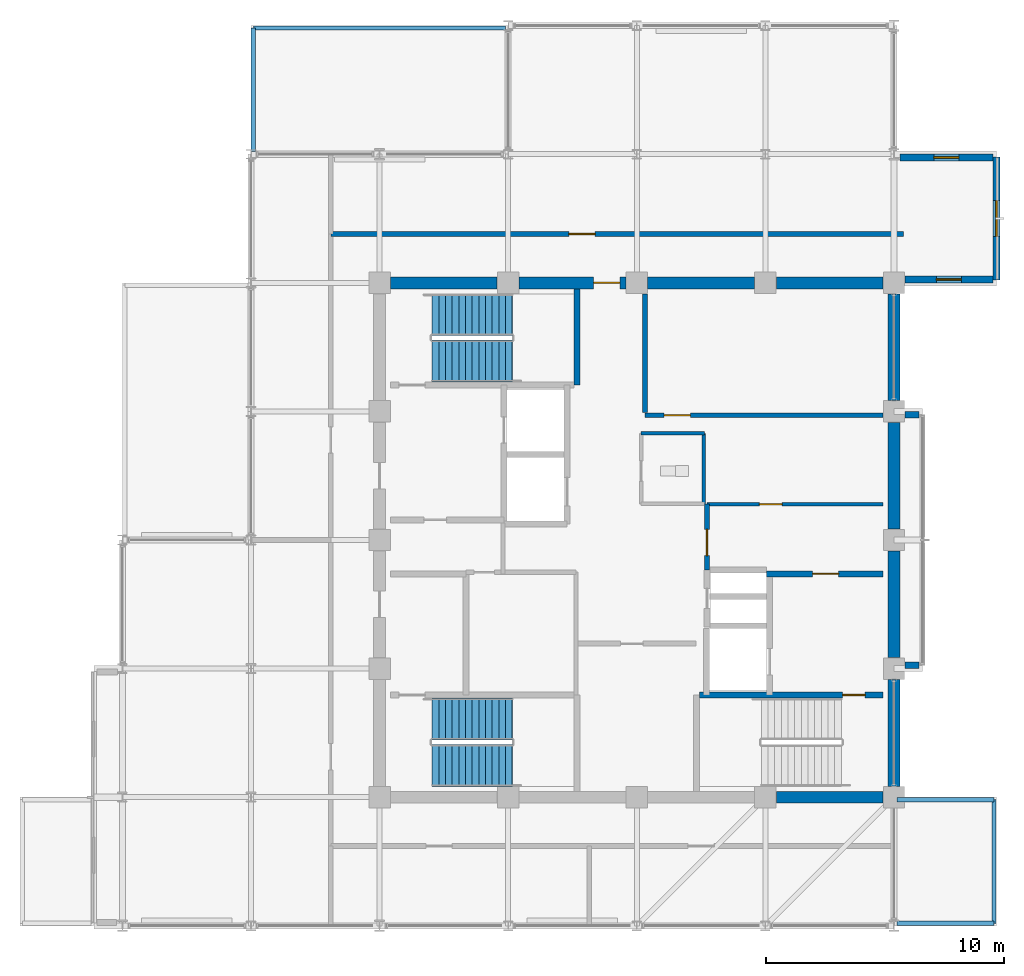
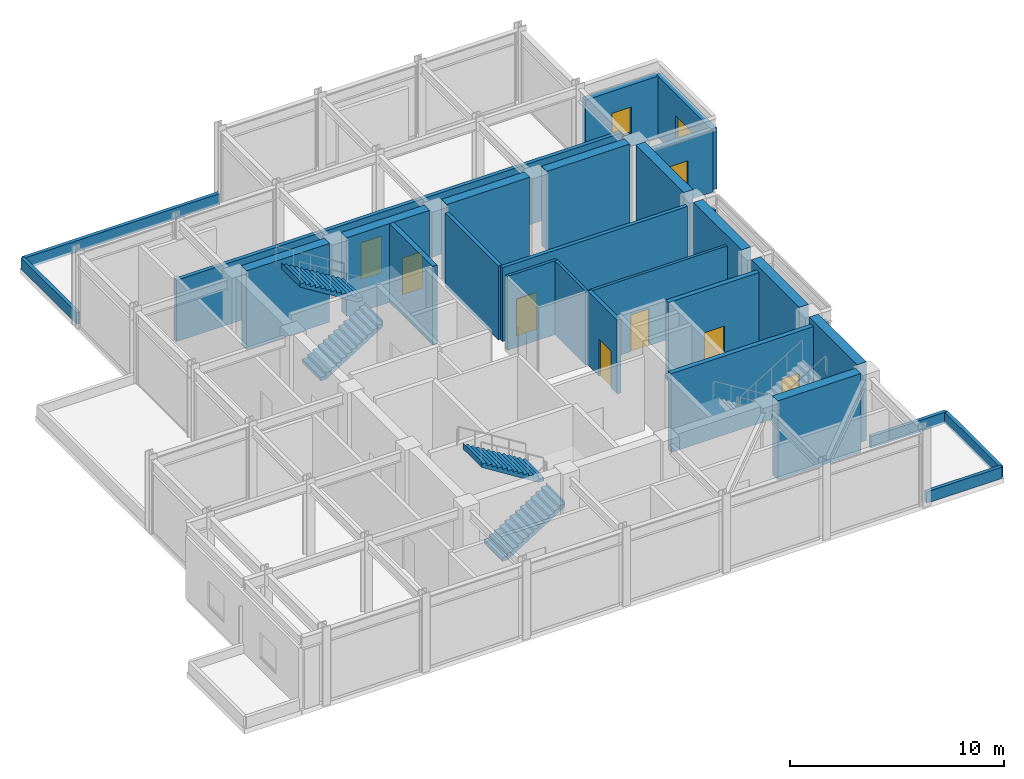
# One storey, part 16 of 21: 29 walls, 7 doors, 4 stair flights, 3 windows, 10 openings, 2 elements without a shape of their own.
"""IFC4 building model written with IfcOpenShell, lengths in metres."""

from ifc_helpers import new_model, si_unit, direction, frame, frame_2d, origin, place, context, subcontext, project, spatial, polyline, rectangle, outline, extrude, material, layer, layer_set, type_object, element, fill, aggregate, save


model = new_model("IFC4")

# Units and contexts
model_context = context("Model", 3, precision=1e-05, world=origin(), true_north=direction((0.0, 1.0)))
body_context = subcontext(model_context, "Body", "Model", "MODEL_VIEW")
ifc_project = project(units=[si_unit("LENGTHUNIT", "METRE"), si_unit("AREAUNIT", "SQUARE_METRE"), si_unit("VOLUMEUNIT", "CUBIC_METRE"), si_unit("PLANEANGLEUNIT", "RADIAN"), si_unit("MASSUNIT", "GRAM", prefix="KILO")], contexts=[model_context])

# Site, building, storey
site_placement = place(None, origin())
site = spatial("IfcSite", under=ifc_project, at=site_placement, CompositionType="ELEMENT")
building_placement = place(site_placement, origin())
building = spatial("IfcBuilding", under=site, at=building_placement, Name="Surkhivell Harbour Commons", CompositionType="ELEMENT")
storey_placement = place(building_placement, frame((0.0, 0.0, 346.5)))
storey = spatial("IfcBuildingStorey", under=building, at=storey_placement, Name="L90", CompositionType="ELEMENT", Elevation=346.5)

# Walls
ifc_material_1 = material(Name="Concrete C50/60", Category="concrete")
ifc_layer_1 = layer(ifc_material_1, 0.5)
ifc_layer_set_1 = layer_set([ifc_layer_1], Name="Concrete C50/60")
wall_type_1 = type_object("IfcWallType", Name="WAL-CORE-500", PredefinedType="SHEAR", material=ifc_layer_set_1)
for number, where, z_axis, x_axis, name in (
    (1, (-10.340087890625, 10.800048828125, 0.0), (0.0, 0.0, 1.0), (1.0, 0.0, 0.0), "L90 Core Shear Wall North 1"),
    (2, (10.800048828125, -10.340087890625, 0.0), (0.0, 0.0, 1.0), (0.0, 1.0, 0.0), "L90 Core Shear Wall East 1"),
):
    element("IfcWall", number, at=place(storey_placement, frame(where, z_axis=z_axis, x_axis=x_axis)), inside=storey, type_object=wall_type_1, Name=name, PredefinedType="SHEAR", context=body_context, shape_type="SweptSolid", body=[
        extrude(rectangle(XDim=4.47998046875, YDim=0.5, at=frame_2d((2.239990234375, 0.0))), origin(), (0.0, 0.0, 1.0), 4.5),
    ])

# Wall, opening, door
wall_1_placement = place(storey_placement, frame((-4.93994140625, 10.800048828125, 0.0), z_axis=(0.0, 0.0, 1.0), x_axis=(1.0, 0.0, 0.0)))
wall_1 = element("IfcWall", 3, at=wall_1_placement, inside=storey, type_object=wall_type_1, Name="L90 Core Shear Wall North 2", PredefinedType="SHEAR", context=body_context, shape_type="SweptSolid", body=[
    extrude(rectangle(XDim=4.47998046875, YDim=0.5, at=frame_2d((2.239990234375, 0.0))), origin(), (0.0, 0.0, 1.0), 4.5),
])
opening_1_placement = place(wall_1_placement, frame((3.1298828125, 0.0, 0.0)))
opening_1 = element("IfcOpeningElement", 4, at=opening_1_placement, cuts=wall_1, Name="Opening ID-2", PredefinedType="OPENING", context=body_context, shape_type="SweptSolid", body=[
    extrude(rectangle(XDim=1.10009765625, YDim=2.10009765625, at=frame_2d((0.550048828125, 1.050048828125))), frame((0.0, 0.260009765625, 0.0), z_axis=(0.0, -1.0, 0.0), x_axis=(1.0, 0.0, 0.0)), (0.0, 0.0, 1.0), 0.52001953125),
])
ifc_material_2 = material(Name="Hardwood-veneered fire-rated door leaf", Category="wood")
door_type_1 = type_object("IfcDoorType", Name="DOR-FD60-1100", OperationType="NOTDEFINED", PredefinedType="DOOR", material=ifc_material_2)
door_1_placement = place(opening_1_placement, origin())
door_1 = element("IfcDoor", 5, at=door_1_placement, inside=storey, type_object=door_type_1, Name="L90 Central Core Lift Hall North Corridor Door", OperationType="SINGLE_SWING_LEFT", OverallHeight=2.10009765625, OverallWidth=1.10009765625, PredefinedType="DOOR", context=body_context, shape_type="SweptSolid", body=[
    extrude(rectangle(XDim=1.10009765625, YDim=2.10009765625, at=frame_2d((0.550048828125, 1.050048828125))), frame((0.0, 0.02490234375, 0.0), z_axis=(0.0, -1.0, 0.0), x_axis=(1.0, 0.0, 0.0)), (0.0, 0.0, 1.0), 0.050048828125),
])
fill(opening_1, door_1)

# Walls
for number, where, z_axis, x_axis, name in (
    (6, (10.800048828125, -4.93994140625, 0.0), (0.0, 0.0, 1.0), (0.0, 1.0, 0.0), "L90 Core Shear Wall East 2"),
    (7, (0.4599609375, 10.800048828125, 0.0), (0.0, 0.0, 1.0), (1.0, 0.0, 0.0), "L90 Core Shear Wall North 3"),
    (8, (10.800048828125, 0.4599609375, 0.0), (0.0, 0.0, 1.0), (0.0, 1.0, 0.0), "L90 Core Shear Wall East 3"),
    (9, (5.860107421875, -10.800048828125, 0.0), (0.0, 0.0, 1.0), (1.0, 0.0, 0.0), "L90 Core Shear Wall South 4"),
    (10, (5.860107421875, 10.800048828125, 0.0), (0.0, 0.0, 1.0), (1.0, 0.0, 0.0), "L90 Core Shear Wall North 4"),
    (11, (10.800048828125, 5.860107421875, 0.0), (0.0, 0.0, 1.0), (0.0, 1.0, 0.0), "L90 Core Shear Wall East 4"),
):
    element("IfcWall", number, at=place(storey_placement, frame(where, z_axis=z_axis, x_axis=x_axis)), inside=storey, type_object=wall_type_1, Name=name, PredefinedType="SHEAR", context=body_context, shape_type="SweptSolid", body=[
        extrude(rectangle(XDim=4.47998046875, YDim=0.5, at=frame_2d((2.239990234375, 0.0))), origin(), (0.0, 0.0, 1.0), 4.5),
    ])

# Wall, opening, window
ifc_material_3 = material(Name="Flemish-bond kiln brick and precast concrete C45/55", Category="masonry")
ifc_layer_2 = layer(ifc_material_3, 0.300048828125)
ifc_layer_set_2 = layer_set([ifc_layer_2], Name="Flemish-bond kiln brick and precast concrete C45/55")
wall_type_2 = type_object("IfcWallType", Name="WAL-EXT-BRK300", PredefinedType="STANDARD", material=ifc_layer_set_2)
wall_2_placement = place(storey_placement, frame((15.10009765625, 10.919921875, 0.0), z_axis=(0.0, 0.0, 1.0), x_axis=(0.0, 1.0, 0.0)))
wall_2 = element("IfcWall", 12, at=wall_2_placement, inside=storey, type_object=wall_type_2, Name="L90 Coloured Box Front Wall 02", PredefinedType="STANDARD", context=body_context, shape_type="SweptSolid", body=[
    extrude(rectangle(XDim=5.16015625, YDim=0.300048828125, at=frame_2d((2.580078125, 0.0))), origin(), (0.0, 0.0, 1.0), 3.507080078125),
])
opening_2_placement = place(wall_2_placement, frame((1.830078125, 0.0, 0.75)))
opening_2 = element("IfcOpeningElement", 13, at=opening_2_placement, cuts=wall_2, Name="Opening WN-13", PredefinedType="OPENING", context=body_context, shape_type="SweptSolid", body=[
    extrude(rectangle(XDim=1.5, YDim=1.5, at=frame_2d((0.75, 0.75))), frame((0.0, 0.159912109375, 0.0), z_axis=(0.0, -1.0, 0.0), x_axis=(1.0, 0.0, 0.0)), (0.0, 0.0, 1.0), 0.320068359375),
])
ifc_material_4 = material(Name="Thermal-break aluminium frame and double low-E glazing", Category="aluminium")
window_type_1 = type_object("IfcWindowType", Name="WIN-BOX-1500x1500", PartitioningType="SINGLE_PANEL", PredefinedType="WINDOW", material=ifc_material_4)
window_1_placement = place(opening_2_placement, origin())
window_1 = element("IfcWindow", 14, at=window_1_placement, inside=storey, type_object=window_type_1, Name="L90 Coloured Box Square Window 02-1", OverallHeight=1.5, OverallWidth=1.5, PartitioningType="SINGLE_PANEL", PredefinedType="WINDOW", context=body_context, shape_type="SweptSolid", body=[
    extrude(rectangle(XDim=1.5, YDim=1.5, at=frame_2d((0.75, 0.75))), frame((0.0, 0.030029296875, 0.0), z_axis=(0.0, -1.0, 0.0), x_axis=(1.0, 0.0, 0.0)), (0.0, 0.0, 1.0), 0.06005859375),
])
fill(opening_2, window_1)

wall_3_placement = place(storey_placement, frame((11.25390625, 10.93994140625, 0.0), z_axis=(0.0, 0.0, 1.0), x_axis=(1.0, 0.0, 0.0)))
wall_3 = element("IfcWall", 15, at=wall_3_placement, inside=storey, type_object=wall_type_2, Name="L90 Coloured Box Return Wall 02S", PredefinedType="STANDARD", context=body_context, shape_type="SweptSolid", body=[
    extrude(rectangle(XDim=3.7060546875, YDim=0.300048828125, at=frame_2d((1.85302734375, 0.0))), origin(), (0.0, 0.0, 1.0), 3.507080078125),
])
opening_3_placement = place(wall_3_placement, frame((1.327880859375, 0.0, 0.75)))
opening_3 = element("IfcOpeningElement", 16, at=opening_3_placement, cuts=wall_3, Name="Opening WN-11", PredefinedType="OPENING", context=body_context, shape_type="SweptSolid", body=[
    extrude(rectangle(XDim=1.050048828125, YDim=1.5, at=frame_2d((0.52490234375, 0.75))), frame((0.0, 0.159912109375, 0.0), z_axis=(0.0, -1.0, 0.0), x_axis=(1.0, 0.0, 0.0)), (0.0, 0.0, 1.0), 0.320068359375),
])
window_type_2 = type_object("IfcWindowType", Name="WIN-SER-1050x1500", PartitioningType="SINGLE_PANEL", PredefinedType="WINDOW", material=ifc_material_4)
window_2_placement = place(opening_3_placement, origin())
window_2 = element("IfcWindow", 17, at=window_2_placement, inside=storey, type_object=window_type_2, Name="L90 Coloured Box Return Window 02S", OverallHeight=1.5, OverallWidth=1.050048828125, PartitioningType="SINGLE_PANEL", PredefinedType="WINDOW", context=body_context, shape_type="SweptSolid", body=[
    extrude(rectangle(XDim=1.050048828125, YDim=1.5, at=frame_2d((0.52490234375, 0.75))), frame((0.0, 0.030029296875, 0.0), z_axis=(0.0, -1.0, 0.0), x_axis=(1.0, 0.0, 0.0)), (0.0, 0.0, 1.0), 0.06005859375),
])
fill(opening_3, window_2)

wall_4_placement = place(storey_placement, frame((11.0439453125, 16.06005859375, 0.0), z_axis=(0.0, 0.0, 1.0), x_axis=(1.0, 0.0, 0.0)))
wall_4 = element("IfcWall", 18, at=wall_4_placement, inside=storey, type_object=wall_type_2, Name="L90 Coloured Box Return Wall 02N", PredefinedType="STANDARD", context=body_context, shape_type="SweptSolid", body=[
    extrude(rectangle(XDim=3.916015625, YDim=0.300048828125, at=frame_2d((1.9580078125, 0.0))), origin(), (0.0, 0.0, 1.0), 3.507080078125),
])
opening_4_placement = place(wall_4_placement, frame((1.43310546875, 0.0, 0.75)))
opening_4 = element("IfcOpeningElement", 19, at=opening_4_placement, cuts=wall_4, Name="Opening WN-11", PredefinedType="OPENING", context=body_context, shape_type="SweptSolid", body=[
    extrude(rectangle(XDim=1.050048828125, YDim=1.5, at=frame_2d((0.52490234375, 0.75))), frame((0.0, 0.159912109375, 0.0), z_axis=(0.0, -1.0, 0.0), x_axis=(1.0, 0.0, 0.0)), (0.0, 0.0, 1.0), 0.320068359375),
])
window_3_placement = place(opening_4_placement, origin())
window_3 = element("IfcWindow", 20, at=window_3_placement, inside=storey, type_object=window_type_2, Name="L90 Coloured Box Return Window 02N", OverallHeight=1.5, OverallWidth=1.050048828125, PartitioningType="SINGLE_PANEL", PredefinedType="WINDOW", context=body_context, shape_type="SweptSolid", body=[
    extrude(rectangle(XDim=1.050048828125, YDim=1.5, at=frame_2d((0.52490234375, 0.75))), frame((0.0, 0.030029296875, 0.0), z_axis=(0.0, -1.0, 0.0), x_axis=(1.0, 0.0, 0.0)), (0.0, 0.0, 1.0), 0.06005859375),
])
fill(opening_4, window_3)

# Walls
ifc_material_5 = material(Name="Terracotta-clad reinforced concrete C45/55", Category="masonry")
ifc_layer_3 = layer(ifc_material_5, 0.280029296875)
ifc_layer_set_3 = layer_set([ifc_layer_3], Name="Terracotta-clad reinforced concrete C45/55")
wall_type_3 = type_object("IfcWallType", Name="WAL-EXT-TER280", PredefinedType="STANDARD", material=ifc_layer_set_3)
for number, where, z_axis, x_axis, name in (
    (21, (11.25390625, -5.260009765625, 0.0), (0.0, 0.0, 1.0), (1.0, 0.0, 0.0), "L90 Coloured Box Return Wall 01S"),
    (22, (11.25390625, 5.260009765625, 0.0), (0.0, 0.0, 1.0), (1.0, 0.0, 0.0), "L90 Coloured Box Return Wall 01N"),
):
    element("IfcWall", number, at=place(storey_placement, frame(where, z_axis=z_axis, x_axis=x_axis)), inside=storey, type_object=wall_type_3, Name=name, PredefinedType="STANDARD", context=body_context, shape_type="SweptSolid", body=[
        extrude(rectangle(XDim=0.606201171875, YDim=0.280029296875, at=frame_2d((0.30322265625, 0.0))), origin(), (0.0, 0.0, 1.0), 3.507080078125),
    ])
ifc_material_6 = material(Name="Twin-stud acoustic fireboard partition", Category="other")
ifc_layer_4 = layer(ifc_material_6, 0.14990234375)
ifc_layer_set_4 = layer_set([ifc_layer_4], Name="Twin-stud acoustic fireboard partition")
wall_type_4 = type_object("IfcWallType", Name="WAL-INT-150", PredefinedType="PARTITIONING", material=ifc_layer_set_4)
wall_5_placement = place(storey_placement, frame((2.820068359375, 1.52001953125, 0.0), z_axis=(0.0, 0.0, 1.0), x_axis=(0.0, 1.0, 0.0)))
element("IfcWall", 23, at=wall_5_placement, inside=storey, type_object=wall_type_4, Name="L90 Core Accessible WC East Wall", PredefinedType="PARTITIONING", context=body_context, shape_type="SweptSolid", body=[
    extrude(rectangle(XDim=2.9599609375, YDim=0.14990234375, at=frame_2d((1.47998046875, 0.0))), origin(), (0.0, 0.0, 1.0), 4.219970703125),
])
wall_6_placement = place(storey_placement, frame((0.179931640625, 4.47998046875, 0.0), z_axis=(0.0, 0.0, 1.0), x_axis=(1.0, 0.0, 0.0)))
element("IfcWall", 24, at=wall_6_placement, inside=storey, type_object=wall_type_4, Name="L90 Core Accessible WC North Wall", PredefinedType="PARTITIONING", context=body_context, shape_type="SweptSolid", body=[
    extrude(rectangle(XDim=2.670166015625, YDim=0.14990234375, at=frame_2d((1.3349609375, 0.0))), origin(), (0.0, 0.0, 1.0), 4.219970703125),
])

# Wall, opening, door
wall_7_placement = place(storey_placement, frame((2.949951171875, 1.5, 0.0), z_axis=(0.0, 0.0, 1.0), x_axis=(1.0, 0.0, 0.0)))
wall_7 = element("IfcWall", 25, at=wall_7_placement, inside=storey, type_object=wall_type_4, Name="L90 Crown East Core Corridor Wall", PredefinedType="PARTITIONING", context=body_context, shape_type="SweptSolid", body=[
    extrude(rectangle(XDim=7.39013671875, YDim=0.14990234375, at=frame_2d((3.695068359375, 0.0))), origin(), (0.0, 0.0, 1.0), 4.219970703125),
])
opening_5_placement = place(wall_7_placement, frame((2.199951171875, 0.0, 0.0)))
opening_5 = element("IfcOpeningElement", 26, at=opening_5_placement, cuts=wall_7, Name="Opening ID-4", PredefinedType="OPENING", context=body_context, shape_type="SweptSolid", body=[
    extrude(rectangle(XDim=0.949951171875, YDim=2.10009765625, at=frame_2d((0.47509765625, 1.050048828125))), frame((0.0, 0.0849609375, 0.0), z_axis=(0.0, -1.0, 0.0), x_axis=(1.0, 0.0, 0.0)), (0.0, 0.0, 1.0), 0.169921875),
])
door_type_2 = type_object("IfcDoorType", Name="DOR-FD60-950", OperationType="NOTDEFINED", PredefinedType="DOOR", material=ifc_material_2)
door_2_placement = place(opening_5_placement, origin())
door_2 = element("IfcDoor", 27, at=door_2_placement, inside=storey, type_object=door_type_2, Name="L90 Crown East Room Door", OperationType="SINGLE_SWING_RIGHT", OverallHeight=2.10009765625, OverallWidth=0.949951171875, PredefinedType="DOOR", context=body_context, shape_type="SweptSolid", body=[
    extrude(rectangle(XDim=0.949951171875, YDim=2.10009765625, at=frame_2d((0.47509765625, 1.050048828125))), frame((0.0, 0.02490234375, 0.0), z_axis=(0.0, -1.0, 0.0), x_axis=(1.0, 0.0, 0.0)), (0.0, 0.0, 1.0), 0.050048828125),
])
fill(opening_5, door_2)

ifc_material_7 = material(Name="Autoclaved aerated concrete blockwork and fire plaster", Category="masonry")
ifc_layer_5 = layer(ifc_material_7, 0.199951171875)
ifc_layer_set_5 = layer_set([ifc_layer_5], Name="Autoclaved aerated concrete blockwork and fire plaster")
wall_type_5 = type_object("IfcWallType", Name="WAL-INT-200", PredefinedType="PARTITIONING", material=ifc_layer_set_5)
wall_8_placement = place(storey_placement, frame((0.35009765625, 5.239990234375, 0.0), z_axis=(0.0, 0.0, 1.0), x_axis=(1.0, 0.0, 0.0)))
wall_8 = element("IfcWall", 28, at=wall_8_placement, inside=storey, type_object=wall_type_5, Name="L90 Reclaimed Core North Bay South Wall", PredefinedType="PARTITIONING", context=body_context, shape_type="SweptSolid", body=[
    extrude(rectangle(XDim=9.989990234375, YDim=0.199951171875, at=frame_2d((4.9951171875, 0.0))), origin(), (0.0, 0.0, 1.0), 4.219970703125),
])
opening_6_placement = place(wall_8_placement, frame((0.800048828125, 0.0, 0.0)))
opening_6 = element("IfcOpeningElement", 29, at=opening_6_placement, cuts=wall_8, Name="Opening ID-2", PredefinedType="OPENING", context=body_context, shape_type="SweptSolid", body=[
    extrude(rectangle(XDim=1.10009765625, YDim=2.10009765625, at=frame_2d((0.550048828125, 1.050048828125))), frame((0.0, 0.10986328125, 0.0), z_axis=(0.0, -1.0, 0.0), x_axis=(1.0, 0.0, 0.0)), (0.0, 0.0, 1.0), 0.219970703125),
])
door_3_placement = place(opening_6_placement, origin())
door_3 = element("IfcDoor", 30, at=door_3_placement, inside=storey, type_object=door_type_1, Name="L90 Core Fan Room Door", OperationType="SINGLE_SWING_LEFT", OverallHeight=2.10009765625, OverallWidth=1.10009765625, PredefinedType="DOOR", context=body_context, shape_type="SweptSolid", body=[
    extrude(rectangle(XDim=1.10009765625, YDim=2.10009765625, at=frame_2d((0.550048828125, 1.050048828125))), frame((0.0, 0.02490234375, 0.0), z_axis=(0.0, -1.0, 0.0), x_axis=(1.0, 0.0, 0.0)), (0.0, 0.0, 1.0), 0.050048828125),
])
fill(opening_6, door_3)

# Wall
wall_9_placement = place(storey_placement, frame((0.35009765625, 5.360107421875, 0.0), z_axis=(0.0, 0.0, 1.0), x_axis=(0.0, 1.0, 0.0)))
element("IfcWall", 31, at=wall_9_placement, inside=storey, type_object=wall_type_5, Name="L90 Reclaimed Core North Bay West Wall", PredefinedType="PARTITIONING", context=body_context, shape_type="SweptSolid", body=[
    extrude(rectangle(XDim=4.97998046875, YDim=0.199951171875, at=frame_2d((2.489990234375, 0.0))), origin(), (0.0, 0.0, 1.0), 4.219970703125),
])

# Wall, opening, door
wall_10_placement = place(storey_placement, frame((2.949951171875, -1.25, 0.0), z_axis=(0.0, 0.0, 1.0), x_axis=(0.0, 1.0, 0.0)))
wall_10 = element("IfcWall", 32, at=wall_10_placement, inside=storey, type_object=wall_type_5, Name="L90 Reclaimed East Core West Wall", PredefinedType="PARTITIONING", context=body_context, shape_type="SweptSolid", body=[
    extrude(rectangle(XDim=2.77001953125, YDim=0.199951171875, at=frame_2d((1.385009765625, 0.0))), origin(), (0.0, 0.0, 1.0), 4.219970703125),
])
opening_7_placement = place(wall_10_placement, frame((0.60009765625, 0.0, 0.0)))
opening_7 = element("IfcOpeningElement", 33, at=opening_7_placement, cuts=wall_10, Name="Opening ID-2", PredefinedType="OPENING", context=body_context, shape_type="SweptSolid", body=[
    extrude(rectangle(XDim=1.10009765625, YDim=2.10009765625, at=frame_2d((0.550048828125, 1.050048828125))), frame((0.0, 0.10986328125, 0.0), z_axis=(0.0, -1.0, 0.0), x_axis=(1.0, 0.0, 0.0)), (0.0, 0.0, 1.0), 0.219970703125),
])
door_4_placement = place(opening_7_placement, origin())
door_4 = element("IfcDoor", 34, at=door_4_placement, inside=storey, type_object=door_type_1, Name="L90 Crown East Escape Door", OperationType="SINGLE_SWING_LEFT", OverallHeight=2.10009765625, OverallWidth=1.10009765625, PredefinedType="DOOR", context=body_context, shape_type="SweptSolid", body=[
    extrude(rectangle(XDim=1.10009765625, YDim=2.10009765625, at=frame_2d((0.550048828125, 1.050048828125))), frame((0.0, 0.02490234375, 0.0), z_axis=(0.0, -1.0, 0.0), x_axis=(1.0, 0.0, 0.0)), (0.0, 0.0, 1.0), 0.050048828125),
])
fill(opening_7, door_4)

wall_11_placement = place(storey_placement, frame((-12.85009765625, 12.85009765625, 0.0), z_axis=(0.0, 0.0, 1.0), x_axis=(1.0, 0.0, 0.0)))
wall_11 = element("IfcWall", 35, at=wall_11_placement, inside=storey, type_object=wall_type_5, Name="L90 Crown Corridor North Wall", PredefinedType="PARTITIONING", context=body_context, shape_type="SweptSolid", body=[
    extrude(rectangle(XDim=24.050048828125, YDim=0.199951171875, at=frame_2d((12.02490234375, 0.0))), origin(), (0.0, 0.0, 1.0), 3.507080078125),
])
opening_8_placement = place(wall_11_placement, frame((10.0, 0.0, 0.0)))
opening_8 = element("IfcOpeningElement", 36, at=opening_8_placement, cuts=wall_11, Name="Opening ID-2", PredefinedType="OPENING", context=body_context, shape_type="SweptSolid", body=[
    extrude(rectangle(XDim=1.10009765625, YDim=2.10009765625, at=frame_2d((0.550048828125, 1.050048828125))), frame((0.0, 0.10986328125, 0.0), z_axis=(0.0, -1.0, 0.0), x_axis=(1.0, 0.0, 0.0)), (0.0, 0.0, 1.0), 0.219970703125),
])
door_5_placement = place(opening_8_placement, origin())
door_5 = element("IfcDoor", 37, at=door_5_placement, inside=storey, type_object=door_type_1, Name="L90 L90 Central Chiller Plant Hall Door", OperationType="SINGLE_SWING_RIGHT", OverallHeight=2.10009765625, OverallWidth=1.10009765625, PredefinedType="DOOR", context=body_context, shape_type="SweptSolid", body=[
    extrude(rectangle(XDim=1.10009765625, YDim=2.10009765625, at=frame_2d((0.550048828125, 1.050048828125))), frame((0.0, 0.02490234375, 0.0), z_axis=(0.0, -1.0, 0.0), x_axis=(1.0, 0.0, 0.0)), (0.0, 0.0, 1.0), 0.050048828125),
])
fill(opening_8, door_5)

# Walls
ifc_material_8 = material(Name="Anodised aluminium and precast concrete C40/50", Category="concrete")
ifc_layer_6 = layer(ifc_material_8, 0.18505859375)
ifc_layer_set_6 = layer_set([ifc_layer_6], Name="Anodised aluminium and precast concrete C40/50")
wall_type_6 = type_object("IfcWallType", Name="WAL-PAR-185", PredefinedType="PARAPET", material=ifc_layer_set_6)
wall_12_placement = place(storey_placement, frame((-5.52001953125, 21.5, 0.0), z_axis=(0.0, 0.0, 1.0), x_axis=(-1.0, 0.0, 0.0)))
element("IfcWall", 38, at=wall_12_placement, inside=storey, type_object=wall_type_6, Name="L90 Box Roof Coping Parapet 1-1", PredefinedType="PARAPET", context=body_context, shape_type="SweptSolid", body=[
    extrude(rectangle(XDim=10.580078125, YDim=0.18505859375, at=frame_2d((5.2900390625, 0.0))), origin(), (0.0, 0.0, 1.0), 0.64990234375),
])
wall_13_placement = place(storey_placement, frame((-16.10009765625, 21.5, 0.0), z_axis=(0.0, 0.0, 1.0), x_axis=(0.0, -1.0, 0.0)))
element("IfcWall", 39, at=wall_13_placement, inside=storey, type_object=wall_type_6, Name="L90 Box Roof Coping Parapet 1-2", PredefinedType="PARAPET", context=body_context, shape_type="SweptSolid", body=[
    extrude(rectangle(XDim=5.179931640625, YDim=0.18505859375, at=frame_2d((2.58984375, 0.0))), origin(), (0.0, 0.0, 1.0), 0.64990234375),
])
wall_14_placement = place(storey_placement, frame((10.919921875, -16.10009765625, 0.0), z_axis=(0.0, 0.0, 1.0), x_axis=(1.0, 0.0, 0.0)))
element("IfcWall", 40, at=wall_14_placement, inside=storey, type_object=wall_type_6, Name="L90 Box Roof Coping Parapet 2-1", PredefinedType="PARAPET", context=body_context, shape_type="SweptSolid", body=[
    extrude(rectangle(XDim=4.080078125, YDim=0.18505859375, at=frame_2d((2.0400390625, 0.0))), origin(), (0.0, 0.0, 1.0), 0.64990234375),
])
wall_15_placement = place(storey_placement, frame((15.0, -16.10009765625, 0.0), z_axis=(0.0, 0.0, 1.0), x_axis=(0.0, 1.0, 0.0)))
element("IfcWall", 41, at=wall_15_placement, inside=storey, type_object=wall_type_6, Name="L90 Box Roof Coping Parapet 2-2", PredefinedType="PARAPET", context=body_context, shape_type="SweptSolid", body=[
    extrude(rectangle(XDim=5.2001953125, YDim=0.18505859375, at=frame_2d((2.60009765625, 0.0))), origin(), (0.0, 0.0, 1.0), 0.64990234375),
])
wall_16_placement = place(storey_placement, frame((15.0, -10.89990234375, 0.0), z_axis=(0.0, 0.0, 1.0), x_axis=(-1.0, 0.0, 0.0)))
element("IfcWall", 42, at=wall_16_placement, inside=storey, type_object=wall_type_6, Name="L90 Box Roof Coping Parapet 2-3", PredefinedType="PARAPET", context=body_context, shape_type="SweptSolid", body=[
    extrude(rectangle(XDim=4.080078125, YDim=0.18505859375, at=frame_2d((2.0400390625, 0.0))), origin(), (0.0, 0.0, 1.0), 0.64990234375),
])

# Wall, opening, door
ifc_layer_7 = layer(ifc_material_1, 0.25)
ifc_layer_set_7 = layer_set([ifc_layer_7], Name="Concrete C50/60")
wall_type_7 = type_object("IfcWallType", Name="WAL-SHAFT-250", PredefinedType="SHEAR", material=ifc_layer_set_7)
wall_17_placement = place(storey_placement, frame((5.43994140625, -1.419921875, 0.0), z_axis=(0.0, 0.0, 1.0), x_axis=(1.0, 0.0, 0.0)))
wall_17 = element("IfcWall", 43, at=wall_17_placement, inside=storey, type_object=wall_type_7, Name="L90 Firefighting Lobby 2 North Wall", PredefinedType="SHEAR", context=body_context, shape_type="SweptSolid", body=[
    extrude(rectangle(XDim=4.900146484375, YDim=0.25, at=frame_2d((2.4501953125, 0.0))), origin(), (0.0, 0.0, 1.0), 4.5),
])
opening_9_placement = place(wall_17_placement, frame((1.93994140625, 0.0, 0.0)))
opening_9 = element("IfcOpeningElement", 44, at=opening_9_placement, cuts=wall_17, Name="Opening ID-1", PredefinedType="OPENING", context=body_context, shape_type="SweptSolid", body=[
    extrude(rectangle(XDim=1.10009765625, YDim=2.10009765625, at=frame_2d((0.550048828125, 1.050048828125))), frame((0.0, 0.135009765625, 0.0), z_axis=(0.0, -1.0, 0.0), x_axis=(1.0, 0.0, 0.0)), (0.0, 0.0, 1.0), 0.27001953125),
])
door_type_3 = type_object("IfcDoorType", Name="DOR-FD120-1100", OperationType="NOTDEFINED", PredefinedType="DOOR", material=ifc_material_2)
door_6_placement = place(opening_9_placement, origin())
door_6 = element("IfcDoor", 45, at=door_6_placement, inside=storey, type_object=door_type_3, Name="L90 Firefighting Lobby 2 Inner Door", OperationType="SINGLE_SWING_LEFT", OverallHeight=2.10009765625, OverallWidth=1.10009765625, PredefinedType="DOOR", context=body_context, shape_type="SweptSolid", body=[
    extrude(rectangle(XDim=1.10009765625, YDim=2.10009765625, at=frame_2d((0.550048828125, 1.050048828125))), frame((0.0, 0.02490234375, 0.0), z_axis=(0.0, -1.0, 0.0), x_axis=(1.0, 0.0, 0.0)), (0.0, 0.0, 1.0), 0.050048828125),
])
fill(opening_9, door_6)

# Wall
wall_18_placement = place(storey_placement, frame((-2.510009765625, 6.510009765625, 0.0), z_axis=(0.0, 0.0, 1.0), x_axis=(0.0, 1.0, 0.0)))
element("IfcWall", 46, at=wall_18_placement, inside=storey, type_object=wall_type_7, Name="L90 Stair ST1 East Shear Wall", PredefinedType="SHEAR", context=body_context, shape_type="SweptSolid", body=[
    extrude(rectangle(XDim=4.0400390625, YDim=0.25, at=frame_2d((2.02001953125, 0.0))), origin(), (0.0, 0.0, 1.0), 4.5),
])

# Wall, opening, door
wall_19_placement = place(storey_placement, frame((2.639892578125, -6.510009765625, 0.0), z_axis=(0.0, 0.0, 1.0), x_axis=(1.0, 0.0, 0.0)))
wall_19 = element("IfcWall", 47, at=wall_19_placement, inside=storey, type_object=wall_type_7, Name="L90 Stair ST2 North Shear Wall", PredefinedType="SHEAR", context=body_context, shape_type="SweptSolid", body=[
    extrude(rectangle(XDim=7.7001953125, YDim=0.25, at=frame_2d((3.85009765625, 0.0))), origin(), (0.0, 0.0, 1.0), 4.5),
])
opening_10_placement = place(wall_19_placement, frame((6.0, 0.0, 0.0)))
opening_10 = element("IfcOpeningElement", 48, at=opening_10_placement, cuts=wall_19, Name="Opening ID-4", PredefinedType="OPENING", context=body_context, shape_type="SweptSolid", body=[
    extrude(rectangle(XDim=0.949951171875, YDim=2.10009765625, at=frame_2d((0.47509765625, 1.050048828125))), frame((0.0, 0.135009765625, 0.0), z_axis=(0.0, -1.0, 0.0), x_axis=(1.0, 0.0, 0.0)), (0.0, 0.0, 1.0), 0.27001953125),
])
door_7_placement = place(opening_10_placement, origin())
door_7 = element("IfcDoor", 49, at=door_7_placement, inside=storey, type_object=door_type_2, Name="L90 Stair ST2 Exit Door", OperationType="SINGLE_SWING_RIGHT", OverallHeight=2.10009765625, OverallWidth=0.949951171875, PredefinedType="DOOR", context=body_context, shape_type="SweptSolid", body=[
    extrude(rectangle(XDim=0.949951171875, YDim=2.10009765625, at=frame_2d((0.47509765625, 1.050048828125))), frame((0.0, 0.02490234375, 0.0), z_axis=(0.0, -1.0, 0.0), x_axis=(1.0, 0.0, 0.0)), (0.0, 0.0, 1.0), 0.050048828125),
])
fill(opening_10, door_7)

# Stair, stair flights
ifc_material_9 = material(Name="Precast concrete C45/55", Category="concrete")
stair_type = type_object("IfcStairType", Name="STR-DL-450", PredefinedType="HALF_TURN_STAIR", material=ifc_material_9)
stair_1_placement = place(storey_placement, origin())
stair_1 = element("IfcStair", 50, at=stair_1_placement, inside=storey, type_object=stair_type, Name="L90 Core Exit Stair ST1", PredefinedType="HALF_TURN_STAIR")
stair_flight_type = type_object("IfcStairFlightType", Name="STF-DL-450", PredefinedType="STRAIGHT", material=ifc_material_9)
stair_flight_1_placement = place(storey_placement, frame((-8.590087890625, 7.514892578125, 0.0), z_axis=(0.0, 0.0, 1.0), x_axis=(1.0, 0.0, 0.0)))
stair_flight_1 = element("IfcStairFlight", 51, at=stair_flight_1_placement, type_object=stair_flight_type, Name="ST1 flight 1", NumberOfRisers=13, NumberOfTreads=12, PredefinedType="STRAIGHT", RiserHeight=0.173076923, TreadLength=0.28, context=body_context, shape_type="SweptSolid", body=[
    extrude(outline(polyline([(-0.0029296875, -0.034912109375), (-0.0029296875, 0.0), (0.0, 0.0), (0.0, 0.173095703125), (0.280029296875, 0.173095703125), (0.280029296875, 0.34619140625), (0.56005859375, 0.34619140625), (0.56005859375, 0.519287109375), (0.840087890625, 0.519287109375), (0.840087890625, 0.6923828125), (1.1201171875, 0.6923828125), (1.1201171875, 0.865478515625), (1.39990234375, 0.865478515625), (1.39990234375, 1.03857421875), (1.679931640625, 1.03857421875), (1.679931640625, 1.21142578125), (1.9599609375, 1.21142578125), (1.9599609375, 1.384521484375), (2.239990234375, 1.384521484375), (2.239990234375, 1.5576171875), (2.52001953125, 1.5576171875), (2.52001953125, 1.730712890625), (2.800048828125, 1.730712890625), (2.800048828125, 1.90380859375), (3.080078125, 1.90380859375), (3.080078125, 2.076904296875), (3.360107421875, 2.076904296875), (3.360107421875, 2.25), (3.363037109375, 2.25), (3.363037109375, 1.900634765625), (0.28515625, -0.034912109375), (-0.0029296875, -0.034912109375)])), frame((0.0, 0.875, 0.0), z_axis=(0.0, -1.0, 0.0), x_axis=(1.0, 0.0, 0.0)), (0.0, 0.0, 1.0), 1.75),
])
stair_flight_2_placement = place(storey_placement, frame((-5.22998046875, 9.465087890625, 2.25), z_axis=(0.0, 0.0, 1.0), x_axis=(-1.0, 0.0, 0.0)))
stair_flight_2 = element("IfcStairFlight", 52, at=stair_flight_2_placement, type_object=stair_flight_type, Name="ST1 flight 2", NumberOfRisers=13, NumberOfTreads=12, PredefinedType="STRAIGHT", RiserHeight=0.173076923, TreadLength=0.28, context=body_context, shape_type="SweptSolid", body=[
    extrude(outline(polyline([(-0.0029296875, -0.034912109375), (-0.0029296875, 0.0), (0.0, 0.0), (0.0, 0.173095703125), (0.280029296875, 0.173095703125), (0.280029296875, 0.34619140625), (0.56005859375, 0.34619140625), (0.56005859375, 0.519287109375), (0.840087890625, 0.519287109375), (0.840087890625, 0.6923828125), (1.1201171875, 0.6923828125), (1.1201171875, 0.865478515625), (1.39990234375, 0.865478515625), (1.39990234375, 1.03857421875), (1.679931640625, 1.03857421875), (1.679931640625, 1.21142578125), (1.9599609375, 1.21142578125), (1.9599609375, 1.384521484375), (2.239990234375, 1.384521484375), (2.239990234375, 1.5576171875), (2.52001953125, 1.5576171875), (2.52001953125, 1.730712890625), (2.800048828125, 1.730712890625), (2.800048828125, 1.90380859375), (3.080078125, 1.90380859375), (3.080078125, 2.076904296875), (3.360107421875, 2.076904296875), (3.360107421875, 2.25), (3.363037109375, 2.25), (3.363037109375, 1.900634765625), (0.28515625, -0.034912109375), (-0.0029296875, -0.034912109375)])), frame((0.0, 0.875, 0.0), z_axis=(0.0, -1.0, 0.0), x_axis=(1.0, 0.0, 0.0)), (0.0, 0.0, 1.0), 1.75),
])
aggregate(stair_1, [stair_flight_1, stair_flight_2])

stair_2_placement = place(storey_placement, origin())
stair_2 = element("IfcStair", 53, at=stair_2_placement, inside=storey, type_object=stair_type, Name="L90 Core Exit Stair ST3", PredefinedType="HALF_TURN_STAIR")
stair_flight_3_placement = place(storey_placement, frame((-8.590087890625, -9.465087890625, 0.0), z_axis=(0.0, 0.0, 1.0), x_axis=(1.0, 0.0, 0.0)))
stair_flight_3 = element("IfcStairFlight", 54, at=stair_flight_3_placement, type_object=stair_flight_type, Name="ST3 flight 1", NumberOfRisers=13, NumberOfTreads=12, PredefinedType="STRAIGHT", RiserHeight=0.173076923, TreadLength=0.28, context=body_context, shape_type="SweptSolid", body=[
    extrude(outline(polyline([(-0.0029296875, -0.034912109375), (-0.0029296875, 0.0), (0.0, 0.0), (0.0, 0.173095703125), (0.280029296875, 0.173095703125), (0.280029296875, 0.34619140625), (0.56005859375, 0.34619140625), (0.56005859375, 0.519287109375), (0.840087890625, 0.519287109375), (0.840087890625, 0.6923828125), (1.1201171875, 0.6923828125), (1.1201171875, 0.865478515625), (1.39990234375, 0.865478515625), (1.39990234375, 1.03857421875), (1.679931640625, 1.03857421875), (1.679931640625, 1.21142578125), (1.9599609375, 1.21142578125), (1.9599609375, 1.384521484375), (2.239990234375, 1.384521484375), (2.239990234375, 1.5576171875), (2.52001953125, 1.5576171875), (2.52001953125, 1.730712890625), (2.800048828125, 1.730712890625), (2.800048828125, 1.90380859375), (3.080078125, 1.90380859375), (3.080078125, 2.076904296875), (3.360107421875, 2.076904296875), (3.360107421875, 2.25), (3.363037109375, 2.25), (3.363037109375, 1.900634765625), (0.28515625, -0.034912109375), (-0.0029296875, -0.034912109375)])), frame((0.0, 0.875, 0.0), z_axis=(0.0, -1.0, 0.0), x_axis=(1.0, 0.0, 0.0)), (0.0, 0.0, 1.0), 1.75),
])
stair_flight_4_placement = place(storey_placement, frame((-5.22998046875, -7.514892578125, 2.25), z_axis=(0.0, 0.0, 1.0), x_axis=(-1.0, 0.0, 0.0)))
stair_flight_4 = element("IfcStairFlight", 55, at=stair_flight_4_placement, type_object=stair_flight_type, Name="ST3 flight 2", NumberOfRisers=13, NumberOfTreads=12, PredefinedType="STRAIGHT", RiserHeight=0.173076923, TreadLength=0.28, context=body_context, shape_type="SweptSolid", body=[
    extrude(outline(polyline([(-0.0029296875, -0.034912109375), (-0.0029296875, 0.0), (0.0, 0.0), (0.0, 0.173095703125), (0.280029296875, 0.173095703125), (0.280029296875, 0.34619140625), (0.56005859375, 0.34619140625), (0.56005859375, 0.519287109375), (0.840087890625, 0.519287109375), (0.840087890625, 0.6923828125), (1.1201171875, 0.6923828125), (1.1201171875, 0.865478515625), (1.39990234375, 0.865478515625), (1.39990234375, 1.03857421875), (1.679931640625, 1.03857421875), (1.679931640625, 1.21142578125), (1.9599609375, 1.21142578125), (1.9599609375, 1.384521484375), (2.239990234375, 1.384521484375), (2.239990234375, 1.5576171875), (2.52001953125, 1.5576171875), (2.52001953125, 1.730712890625), (2.800048828125, 1.730712890625), (2.800048828125, 1.90380859375), (3.080078125, 1.90380859375), (3.080078125, 2.076904296875), (3.360107421875, 2.076904296875), (3.360107421875, 2.25), (3.363037109375, 2.25), (3.363037109375, 1.900634765625), (0.28515625, -0.034912109375), (-0.0029296875, -0.034912109375)])), frame((0.0, 0.875, 0.0), z_axis=(0.0, -1.0, 0.0), x_axis=(1.0, 0.0, 0.0)), (0.0, 0.0, 1.0), 1.75),
])
aggregate(stair_2, [stair_flight_3, stair_flight_4])

save(model, "model.ifc")
